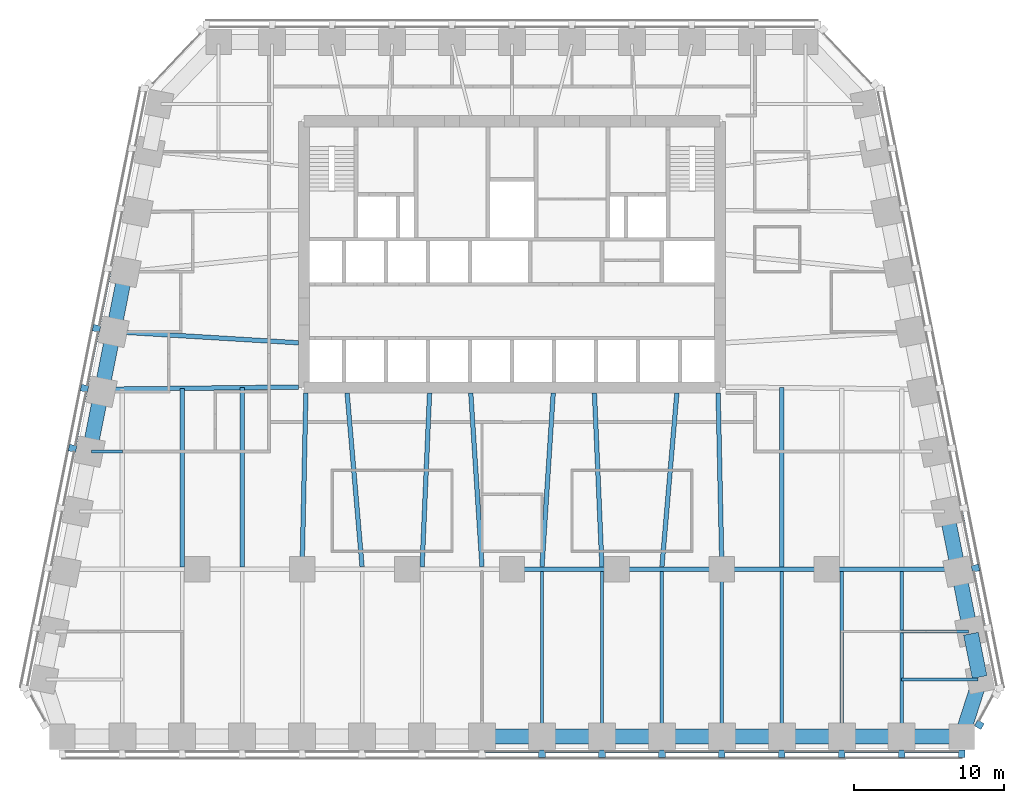
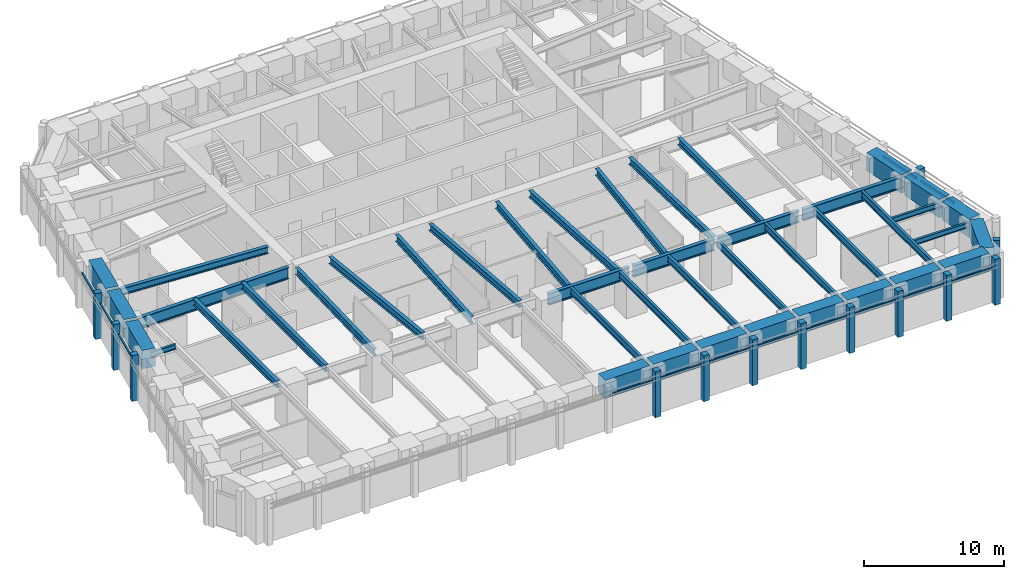
# One storey, part 2 of 10: 42 beams, 26 members, 4 elements without a shape of their own.
"""IFC4 building model written with IfcOpenShell, lengths in metres."""

from ifc_helpers import new_model, si_unit, direction, frame, origin, origin_2d, place, context, subcontext, project, spatial, rectangle, i_section, extrude, material, material_profile, profile_set, type_object, element, aggregate, save


model = new_model("IFC4")

# Units and contexts
model_context = context("Model", 3, precision=1e-05, world=origin(), true_north=direction((0.0, 1.0)))
body_context = subcontext(model_context, "Body", "Model", "MODEL_VIEW")
ifc_project = project(units=[si_unit("LENGTHUNIT", "METRE"), si_unit("AREAUNIT", "SQUARE_METRE"), si_unit("VOLUMEUNIT", "CUBIC_METRE"), si_unit("PLANEANGLEUNIT", "RADIAN"), si_unit("MASSUNIT", "GRAM", prefix="KILO")], contexts=[model_context])

# Site, building, storey
site_placement = place(None, origin())
site = spatial("IfcSite", under=ifc_project, at=site_placement, CompositionType="ELEMENT")
building_placement = place(site_placement, origin())
building = spatial("IfcBuilding", under=site, at=building_placement, Name="Isbrekke Arena Tower", CompositionType="ELEMENT")
storey_placement = place(building_placement, frame((0.0, 0.0, 115.0)))
storey = spatial("IfcBuildingStorey", under=building, at=storey_placement, Name="L25", CompositionType="ELEMENT", Elevation=115.0)

# Beams
ifc_material_1 = material(Name="Steel S355", Category="steel")
ifc_material_profile_1 = material_profile(ifc_material_1, i_section(OverallWidth=0.219970703125, OverallDepth=0.60009765625, WebThickness=0.011962890625, FlangeThickness=0.01904296875, FilletRadius=0.02392578125, at=origin_2d()), Name="IPE 600")
ifc_profile_set_1 = profile_set([ifc_material_profile_1], Name="Steel S355")
beam_type_1 = type_object("IfcBeamType", Name="B1 IPE 600", PredefinedType="BEAM", material=ifc_profile_set_1)
for number, where, z_axis, x_axis, name in (
    (1, (2.0, -17.02490234375, 3.550048828125), (0.0, 1.0, 0.0), (-1.0, 0.0, 0.0), "B1 beam S-S09 L25"),
    (2, (6.0, -17.02490234375, 3.550048828125), (0.0, 1.0, 0.0), (-1.0, 0.0, 0.0), "B1 beam S-S10 L25"),
    (3, (10.0, -17.02490234375, 3.550048828125), (0.0, 1.0, 0.0), (-1.0, 0.0, 0.0), "B1 beam S-S11 L25"),
):
    element("IfcBeam", number, at=place(storey_placement, frame(where, z_axis=z_axis, x_axis=x_axis)), inside=storey, type_object=beam_type_1, Name=name, PredefinedType="BEAM", context=body_context, shape_type="SweptSolid", body=[
        extrude(i_section(OverallWidth=0.219970703125, OverallDepth=0.60009765625, WebThickness=0.011962890625, FlangeThickness=0.01904296875, FilletRadius=0.02392578125, at=origin_2d()), origin(), (0.0, 0.0, 1.0), 10.8740234375),
    ])
beam_1_placement = place(storey_placement, frame((14.0, -17.02490234375, 3.550048828125), z_axis=(0.0, 1.0, 0.0), x_axis=(-1.0, 0.0, 0.0)))
element("IfcBeam", 4, at=beam_1_placement, inside=storey, type_object=beam_type_1, Name="B1 beam S-S12 L25", PredefinedType="BEAM", context=body_context, shape_type="SweptSolid", body=[
    extrude(i_section(OverallWidth=0.219970703125, OverallDepth=0.60009765625, WebThickness=0.011962890625, FlangeThickness=0.01904296875, FilletRadius=0.02392578125, at=origin_2d()), origin(), (0.0, 0.0, 1.0), 10.875),
])
for number, where, z_axis, x_axis, name in (
    (5, (18.0, -17.02490234375, 3.550048828125), (0.0, 1.0, 0.0), (-1.0, 0.0, 0.0), "B1 beam S-S13 L25"),
    (6, (22.0, -17.02490234375, 3.550048828125), (0.0, 1.0, 0.0), (-1.0, 0.0, 0.0), "B1 beam S-S14 L25"),
    (7, (26.0, -17.02490234375, 3.550048828125), (0.0, 1.0, 0.0), (-1.0, 0.0, 0.0), "B1 beam S-S15 L25"),
):
    element("IfcBeam", number, at=place(storey_placement, frame(where, z_axis=z_axis, x_axis=x_axis)), inside=storey, type_object=beam_type_1, Name=name, PredefinedType="BEAM", context=body_context, shape_type="SweptSolid", body=[
        extrude(i_section(OverallWidth=0.219970703125, OverallDepth=0.60009765625, WebThickness=0.011962890625, FlangeThickness=0.01904296875, FilletRadius=0.02392578125, at=origin_2d()), origin(), (0.0, 0.0, 1.0), 10.8740234375),
    ])
ifc_material_2 = material(Name="Steel S355", Category="steel")
ifc_material_profile_2 = material_profile(ifc_material_2, i_section(OverallWidth=0.18994140625, OverallDepth=0.449951171875, WebThickness=0.009521484375, FlangeThickness=0.0146484375, FilletRadius=0.02099609375, at=origin_2d()), Name="IPE 450")
ifc_profile_set_2 = profile_set([ifc_material_profile_2], Name="Steel S355")
beam_type_2 = type_object("IfcBeamType", Name="B2 IPE 450", PredefinedType="BEAM", material=ifc_profile_set_2)
beam_2_placement = place(storey_placement, frame((31.079345703125, -13.352783203125, 3.625), z_axis=(-1.0, 0.0, 0.0), x_axis=(0.0, -1.0, 0.0)))
element("IfcBeam", 8, at=beam_2_placement, inside=storey, type_object=beam_type_2, Name="B2 beam E-E01 L25", PredefinedType="BEAM", context=body_context, shape_type="SweptSolid", body=[
    extrude(i_section(OverallWidth=0.18994140625, OverallDepth=0.449951171875, WebThickness=0.009521484375, FlangeThickness=0.0146484375, FilletRadius=0.02099609375, at=origin_2d()), origin(), (0.0, 0.0, 1.0), 5.079345703125),
])
beam_3_placement = place(storey_placement, frame((30.44091796875, -10.161865234375, 3.625), z_axis=(-1.0, 0.0, 0.0), x_axis=(0.0, -1.0, 0.0)))
element("IfcBeam", 9, at=beam_3_placement, inside=storey, type_object=beam_type_2, Name="B2 beam E-E02 L25", PredefinedType="BEAM", context=body_context, shape_type="SweptSolid", body=[
    extrude(i_section(OverallWidth=0.18994140625, OverallDepth=0.449951171875, WebThickness=0.009521484375, FlangeThickness=0.0146484375, FilletRadius=0.02099609375, at=origin_2d()), origin(), (0.0, 0.0, 1.0), 4.44091796875),
])
beam_4_placement = place(storey_placement, frame((-28.041015625, 1.838134765625, 3.625), z_axis=(1.0, 0.0, 0.0), x_axis=(0.0, 1.0, 0.0)))
element("IfcBeam", 10, at=beam_4_placement, inside=storey, type_object=beam_type_2, Name="B2 beam E-W07 L25", PredefinedType="BEAM", context=body_context, shape_type="SweptSolid", body=[
    extrude(i_section(OverallWidth=0.18994140625, OverallDepth=0.449951171875, WebThickness=0.009521484375, FlangeThickness=0.0146484375, FilletRadius=0.02099609375, at=origin_2d()), origin(), (0.0, 0.0, 1.0), 2.041015625),
])
ifc_material_3 = material(Name="Steel S355", Category="steel")
ifc_material_profile_3 = material_profile(ifc_material_3, i_section(OverallWidth=0.300048828125, OverallDepth=0.60009765625, WebThickness=0.015380859375, FlangeThickness=0.030029296875, FilletRadius=0.027099609375, at=origin_2d()), Name="HEB 600")
ifc_profile_set_3 = profile_set([ifc_material_profile_3], Name="Steel S355")
beam_type_3 = type_object("IfcBeamType", Name="B7 HEB 600", PredefinedType="BEAM", material=ifc_profile_set_3)
beam_5_placement = place(storey_placement, frame((-22.0, -5.84912109375, 3.550048828125), z_axis=(0.0, 1.0, 0.0), x_axis=(-1.0, 0.0, 0.0)))
element("IfcBeam", 11, at=beam_5_placement, inside=storey, type_object=beam_type_3, Name="B7 beam C-M02 L25", PredefinedType="BEAM", context=body_context, shape_type="SweptSolid", body=[
    extrude(i_section(OverallWidth=0.300048828125, OverallDepth=0.60009765625, WebThickness=0.015380859375, FlangeThickness=0.030029296875, FilletRadius=0.027099609375, at=origin_2d()), origin(), (0.0, 0.0, 1.0), 11.91064453125),
])
beam_6_placement = place(storey_placement, frame((-18.0, -5.84912109375, 3.550048828125), z_axis=(0.0, 1.0, 0.0), x_axis=(-1.0, 0.0, 0.0)))
element("IfcBeam", 12, at=beam_6_placement, inside=storey, type_object=beam_type_3, Name="B7 beam C-M03 L25", PredefinedType="BEAM", context=body_context, shape_type="SweptSolid", body=[
    extrude(i_section(OverallWidth=0.300048828125, OverallDepth=0.60009765625, WebThickness=0.015380859375, FlangeThickness=0.030029296875, FilletRadius=0.027099609375, at=origin_2d()), origin(), (0.0, 0.0, 1.0), 11.956298828125),
])
beam_7_placement = place(storey_placement, frame((-14.0, -5.8466796875, 3.550048828125), z_axis=(0.021552887044, 0.999767709551, 0.0), x_axis=(-0.999767709551, 0.021552887044, 0.0)))
element("IfcBeam", 13, at=beam_7_placement, inside=storey, type_object=beam_type_3, Name="B7 beam C-M04 L25", PredefinedType="BEAM", context=body_context, shape_type="SweptSolid", body=[
    extrude(i_section(OverallWidth=0.300048828125, OverallDepth=0.60009765625, WebThickness=0.015380859375, FlangeThickness=0.030029296875, FilletRadius=0.027099609375, at=origin_2d()), origin(), (0.0, 0.0, 1.0), 11.599365234375),
])
beam_8_placement = place(storey_placement, frame((-10.001220703125, -5.836181640625, 3.550048828125), z_axis=(-0.085885827104, 0.996304985786, 0.0), x_axis=(-0.996304985786, -0.085885827104, 0.0)))
element("IfcBeam", 14, at=beam_8_placement, inside=storey, type_object=beam_type_3, Name="B7 beam C-M05 L25", PredefinedType="BEAM", context=body_context, shape_type="SweptSolid", body=[
    extrude(i_section(OverallWidth=0.300048828125, OverallDepth=0.60009765625, WebThickness=0.015380859375, FlangeThickness=0.030029296875, FilletRadius=0.027099609375, at=origin_2d()), origin(), (0.0, 0.0, 1.0), 11.629150390625),
])
beam_9_placement = place(storey_placement, frame((-5.999755859375, -5.842529296875, 3.550048828125), z_axis=(0.043070161667, 0.999072050041, 0.0), x_axis=(-0.999072050041, 0.043070161667, 0.0)))
element("IfcBeam", 15, at=beam_9_placement, inside=storey, type_object=beam_type_3, Name="B7 beam C-M06 L25", PredefinedType="BEAM", context=body_context, shape_type="SweptSolid", body=[
    extrude(i_section(OverallWidth=0.300048828125, OverallDepth=0.60009765625, WebThickness=0.015380859375, FlangeThickness=0.030029296875, FilletRadius=0.027099609375, at=origin_2d()), origin(), (0.0, 0.0, 1.0), 11.603271484375),
])
for number, where, z_axis, x_axis, name in (
    (16, (-2.000732421875, -5.83935546875, 3.550048828125), (-0.064516666031, 0.997916629686, 0.0), (-0.997916629686, -0.064516666031, 0.0), "B7 beam C-M07 L25"),
    (17, (2.000732421875, -5.83935546875, 3.550048828125), (0.064516666031, 0.997916629686, 0.0), (-0.997916629686, 0.064516666031, 0.0), "B7 beam C-M08 L25"),
):
    element("IfcBeam", number, at=place(storey_placement, frame(where, z_axis=z_axis, x_axis=x_axis)), inside=storey, type_object=beam_type_3, Name=name, PredefinedType="BEAM", context=body_context, shape_type="SweptSolid", body=[
        extrude(i_section(OverallWidth=0.300048828125, OverallDepth=0.60009765625, WebThickness=0.015380859375, FlangeThickness=0.030029296875, FilletRadius=0.027099609375, at=origin_2d()), origin(), (0.0, 0.0, 1.0), 11.613525390625),
    ])
beam_10_placement = place(storey_placement, frame((5.999755859375, -5.842529296875, 3.550048828125), z_axis=(-0.043070161667, 0.999072050041, 0.0), x_axis=(-0.999072050041, -0.043070161667, 0.0)))
element("IfcBeam", 18, at=beam_10_placement, inside=storey, type_object=beam_type_3, Name="B7 beam C-M09 L25", PredefinedType="BEAM", context=body_context, shape_type="SweptSolid", body=[
    extrude(i_section(OverallWidth=0.300048828125, OverallDepth=0.60009765625, WebThickness=0.015380859375, FlangeThickness=0.030029296875, FilletRadius=0.027099609375, at=origin_2d()), origin(), (0.0, 0.0, 1.0), 11.603271484375),
])
beam_11_placement = place(storey_placement, frame((10.001220703125, -5.836181640625, 3.550048828125), z_axis=(0.085885827104, 0.996304985786, 0.0), x_axis=(-0.996304985786, 0.085885827104, 0.0)))
element("IfcBeam", 19, at=beam_11_placement, inside=storey, type_object=beam_type_3, Name="B7 beam C-M10 L25", PredefinedType="BEAM", context=body_context, shape_type="SweptSolid", body=[
    extrude(i_section(OverallWidth=0.300048828125, OverallDepth=0.60009765625, WebThickness=0.015380859375, FlangeThickness=0.030029296875, FilletRadius=0.027099609375, at=origin_2d()), origin(), (0.0, 0.0, 1.0), 11.629150390625),
])
beam_12_placement = place(storey_placement, frame((14.0, -5.8466796875, 3.550048828125), z_axis=(-0.021552887044, 0.999767709551, 0.0), x_axis=(-0.999767709551, -0.021552887044, 0.0)))
element("IfcBeam", 20, at=beam_12_placement, inside=storey, type_object=beam_type_3, Name="B7 beam C-M11 L25", PredefinedType="BEAM", context=body_context, shape_type="SweptSolid", body=[
    extrude(i_section(OverallWidth=0.300048828125, OverallDepth=0.60009765625, WebThickness=0.015380859375, FlangeThickness=0.030029296875, FilletRadius=0.027099609375, at=origin_2d()), origin(), (0.0, 0.0, 1.0), 11.599365234375),
])
beam_13_placement = place(storey_placement, frame((18.0, -5.84912109375, 3.550048828125), z_axis=(0.0, 1.0, 0.0), x_axis=(-1.0, 0.0, 0.0)))
element("IfcBeam", 21, at=beam_13_placement, inside=storey, type_object=beam_type_3, Name="B7 beam C-M12 L25", PredefinedType="BEAM", context=body_context, shape_type="SweptSolid", body=[
    extrude(i_section(OverallWidth=0.300048828125, OverallDepth=0.60009765625, WebThickness=0.015380859375, FlangeThickness=0.030029296875, FilletRadius=0.027099609375, at=origin_2d()), origin(), (0.0, 0.0, 1.0), 11.956298828125),
])
beam_14_placement = place(storey_placement, frame((-26.431884765625, 9.837646484375, 3.550048828125), z_axis=(0.998172191876, -0.060434057993, 0.0), x_axis=(0.060434057993, 0.998172191876, 0.0)))
element("IfcBeam", 22, at=beam_14_placement, inside=storey, type_object=beam_type_3, Name="B7 beam E-W05 L25", PredefinedType="BEAM", context=body_context, shape_type="SweptSolid", body=[
    extrude(i_section(OverallWidth=0.300048828125, OverallDepth=0.60009765625, WebThickness=0.015380859375, FlangeThickness=0.030029296875, FilletRadius=0.027099609375, at=origin_2d()), origin(), (0.0, 0.0, 1.0), 12.2041015625),
])

# Curtain wall, members
ifc_material_4 = material(Name="Glazed aluminium curtain wall", Category="aluminium")
curtain_wall_type = type_object("IfcCurtainWallType", Name="CWM TOWER CURTAIN WALL MID ZONE", PredefinedType="USERDEFINED", material=ifc_material_4)
curtain_wall_1_placement = place(storey_placement, origin())
curtain_wall_1 = element("IfcCurtainWall", 23, at=curtain_wall_1_placement, inside=storey, type_object=curtain_wall_type, Name="CWM curtain wall L25-S", ObjectType="TOWER CURTAIN WALL MID ZONE", PredefinedType="USERDEFINED")
ifc_material_5 = material(Name="Aluminium mullion, pale brick slip cladding", Category="masonry")
ifc_material_profile_4 = material_profile(ifc_material_5, rectangle(XDim=0.449951171875, YDim=0.5, at=origin_2d()), Name="PIER 450X500")
ifc_profile_set_4 = profile_set([ifc_material_profile_4], Name="Aluminium mullion, pale brick slip cladding")
member_type_1 = type_object("IfcMemberType", Name="CWM-M PIER MULLION 450 x 500", PredefinedType="MULLION", material=ifc_profile_set_4)
member_1_placement = place(storey_placement, frame((2.0, -18.324951171875, 0.0), z_axis=(0.0, 0.0, 1.0), x_axis=(1.0, 0.0, 0.0)))
member_1 = element("IfcMember", 24, at=member_1_placement, type_object=member_type_1, Name="CWM-M mullion 9", PredefinedType="MULLION", context=body_context, shape_type="SweptSolid", body=[
    extrude(rectangle(XDim=0.449951171875, YDim=0.5, at=origin_2d()), origin(), (0.0, 0.0, 1.0), 4.0),
])
member_2_placement = place(storey_placement, frame((6.0, -18.324951171875, 0.0), z_axis=(0.0, 0.0, 1.0), x_axis=(1.0, 0.0, 0.0)))
member_2 = element("IfcMember", 25, at=member_2_placement, type_object=member_type_1, Name="CWM-M mullion 10", PredefinedType="MULLION", context=body_context, shape_type="SweptSolid", body=[
    extrude(rectangle(XDim=0.449951171875, YDim=0.5, at=origin_2d()), origin(), (0.0, 0.0, 1.0), 4.0),
])
member_3_placement = place(storey_placement, frame((10.0, -18.324951171875, 0.0), z_axis=(0.0, 0.0, 1.0), x_axis=(1.0, 0.0, 0.0)))
member_3 = element("IfcMember", 26, at=member_3_placement, type_object=member_type_1, Name="CWM-M mullion 11", PredefinedType="MULLION", context=body_context, shape_type="SweptSolid", body=[
    extrude(rectangle(XDim=0.449951171875, YDim=0.5, at=origin_2d()), origin(), (0.0, 0.0, 1.0), 4.0),
])
member_4_placement = place(storey_placement, frame((14.0, -18.324951171875, 0.0), z_axis=(0.0, 0.0, 1.0), x_axis=(1.0, 0.0, 0.0)))
member_4 = element("IfcMember", 27, at=member_4_placement, type_object=member_type_1, Name="CWM-M mullion 12", PredefinedType="MULLION", context=body_context, shape_type="SweptSolid", body=[
    extrude(rectangle(XDim=0.449951171875, YDim=0.5, at=origin_2d()), origin(), (0.0, 0.0, 1.0), 4.0),
])
member_5_placement = place(storey_placement, frame((18.0, -18.324951171875, 0.0), z_axis=(0.0, 0.0, 1.0), x_axis=(1.0, 0.0, 0.0)))
member_5 = element("IfcMember", 28, at=member_5_placement, type_object=member_type_1, Name="CWM-M mullion 13", PredefinedType="MULLION", context=body_context, shape_type="SweptSolid", body=[
    extrude(rectangle(XDim=0.449951171875, YDim=0.5, at=origin_2d()), origin(), (0.0, 0.0, 1.0), 4.0),
])
member_6_placement = place(storey_placement, frame((22.0, -18.324951171875, 0.0), z_axis=(0.0, 0.0, 1.0), x_axis=(1.0, 0.0, 0.0)))
member_6 = element("IfcMember", 29, at=member_6_placement, type_object=member_type_1, Name="CWM-M mullion 14", PredefinedType="MULLION", context=body_context, shape_type="SweptSolid", body=[
    extrude(rectangle(XDim=0.449951171875, YDim=0.5, at=origin_2d()), origin(), (0.0, 0.0, 1.0), 4.0),
])
member_7_placement = place(storey_placement, frame((26.0, -18.324951171875, 0.0), z_axis=(0.0, 0.0, 1.0), x_axis=(1.0, 0.0, 0.0)))
member_7 = element("IfcMember", 30, at=member_7_placement, type_object=member_type_1, Name="CWM-M mullion 15", PredefinedType="MULLION", context=body_context, shape_type="SweptSolid", body=[
    extrude(rectangle(XDim=0.449951171875, YDim=0.5, at=origin_2d()), origin(), (0.0, 0.0, 1.0), 4.0),
])
member_8_placement = place(storey_placement, frame((30.0, -18.324951171875, 0.0), z_axis=(0.0, 0.0, 1.0), x_axis=(1.0, 0.0, 0.0)))
member_8 = element("IfcMember", 31, at=member_8_placement, type_object=member_type_1, Name="CWM-M mullion 16", PredefinedType="MULLION", context=body_context, shape_type="SweptSolid", body=[
    extrude(rectangle(XDim=0.449951171875, YDim=0.5, at=origin_2d()), origin(), (0.0, 0.0, 1.0), 4.0),
])

# Curtain wall, member
curtain_wall_2_placement = place(storey_placement, origin())
curtain_wall_2 = element("IfcCurtainWall", 32, at=curtain_wall_2_placement, inside=storey, type_object=curtain_wall_type, Name="CWM curtain wall L25-SE", ObjectType="TOWER CURTAIN WALL MID ZONE", PredefinedType="USERDEFINED")
member_9_placement = place(storey_placement, frame((31.17529296875, -16.382080078125, 0.0), z_axis=(0.0, 0.0, 1.0), x_axis=(0.481918749773, 0.876215908676, 0.0)))
member_9 = element("IfcMember", 33, at=member_9_placement, type_object=member_type_1, Name="CWM-M mullion 1", PredefinedType="MULLION", context=body_context, shape_type="SweptSolid", body=[
    extrude(rectangle(XDim=0.449951171875, YDim=0.5, at=origin_2d()), origin(), (0.0, 0.0, 1.0), 4.0),
])
aggregate(curtain_wall_2, [member_9])

curtain_wall_3_placement = place(storey_placement, origin())
curtain_wall_3 = element("IfcCurtainWall", 34, at=curtain_wall_3_placement, inside=storey, type_object=curtain_wall_type, Name="CWM curtain wall L25-E", ObjectType="TOWER CURTAIN WALL MID ZONE", PredefinedType="USERDEFINED")
member_10_placement = place(storey_placement, frame((30.918701171875, -5.936279296875, 0.0), z_axis=(0.0, 0.0, 1.0), x_axis=(-0.196116135138, 0.980580675691, 0.0)))
member_10 = element("IfcMember", 35, at=member_10_placement, type_object=member_type_1, Name="CWM-M mullion 3", PredefinedType="MULLION", context=body_context, shape_type="SweptSolid", body=[
    extrude(rectangle(XDim=0.449951171875, YDim=0.5, at=origin_2d()), origin(), (0.0, 0.0, 1.0), 4.0),
])

# Curtain wall, members
curtain_wall_4_placement = place(storey_placement, origin())
curtain_wall_4 = element("IfcCurtainWall", 36, at=curtain_wall_4_placement, inside=storey, type_object=curtain_wall_type, Name="CWM curtain wall L25-W", ObjectType="TOWER CURTAIN WALL MID ZONE", PredefinedType="USERDEFINED")
member_11_placement = place(storey_placement, frame((-27.71875, 10.063720703125, 0.0), z_axis=(0.0, 0.0, 1.0), x_axis=(-0.196116135138, -0.980580675691, 0.0)))
member_11 = element("IfcMember", 37, at=member_11_placement, type_object=member_type_1, Name="CWM-M mullion 5", PredefinedType="MULLION", context=body_context, shape_type="SweptSolid", body=[
    extrude(rectangle(XDim=0.449951171875, YDim=0.5, at=origin_2d()), origin(), (0.0, 0.0, 1.0), 4.0),
])
member_12_placement = place(storey_placement, frame((-28.518798828125, 6.063720703125, 0.0), z_axis=(0.0, 0.0, 1.0), x_axis=(-0.196116135138, -0.980580675691, 0.0)))
member_12 = element("IfcMember", 38, at=member_12_placement, type_object=member_type_1, Name="CWM-M mullion 6", PredefinedType="MULLION", context=body_context, shape_type="SweptSolid", body=[
    extrude(rectangle(XDim=0.449951171875, YDim=0.5, at=origin_2d()), origin(), (0.0, 0.0, 1.0), 4.0),
])
member_13_placement = place(storey_placement, frame((-29.318603515625, 2.063720703125, 0.0), z_axis=(0.0, 0.0, 1.0), x_axis=(-0.196116135138, -0.980580675691, 0.0)))
member_13 = element("IfcMember", 39, at=member_13_placement, type_object=member_type_1, Name="CWM-M mullion 7", PredefinedType="MULLION", context=body_context, shape_type="SweptSolid", body=[
    extrude(rectangle(XDim=0.449951171875, YDim=0.5, at=origin_2d()), origin(), (0.0, 0.0, 1.0), 4.0),
])

# Member
ifc_material_6 = material(Name="Aluminium transom", Category="aluminium")
ifc_material_profile_5 = material_profile(ifc_material_6, rectangle(XDim=0.1201171875, YDim=0.199951171875, at=origin_2d()), Name="TRANSOM 120X200")
ifc_profile_set_5 = profile_set([ifc_material_profile_5], Name="Aluminium transom")
member_type_2 = type_object("IfcMemberType", Name="CWM-T TRANSOM 120 x 200", PredefinedType="USERDEFINED", material=ifc_profile_set_5)
member_14_placement = place(storey_placement, frame((-1.77490234375, -18.175048828125, 3.0), z_axis=(1.0, 0.0, 0.0), x_axis=(0.0, 1.0, 0.0)))
member_14 = element("IfcMember", 40, at=member_14_placement, type_object=member_type_2, Name="CWM-T transom 8", ObjectType="TRANSOM", PredefinedType="USERDEFINED", context=body_context, shape_type="SweptSolid", body=[
    extrude(rectangle(XDim=0.1201171875, YDim=0.199951171875, at=origin_2d()), origin(), (0.0, 0.0, 1.0), 3.5498046875),
])

member_15_placement = place(storey_placement, frame((2.22509765625, -18.175048828125, 3.0), z_axis=(1.0, 0.0, 0.0), x_axis=(0.0, 1.0, 0.0)))
member_15 = element("IfcMember", 41, at=member_15_placement, type_object=member_type_2, Name="CWM-T transom 9", ObjectType="TRANSOM", PredefinedType="USERDEFINED", context=body_context, shape_type="SweptSolid", body=[
    extrude(rectangle(XDim=0.1201171875, YDim=0.199951171875, at=origin_2d()), origin(), (0.0, 0.0, 1.0), 3.5498046875),
])

member_16_placement = place(storey_placement, frame((6.22509765625, -18.175048828125, 3.0), z_axis=(1.0, 0.0, 0.0), x_axis=(0.0, 1.0, 0.0)))
member_16 = element("IfcMember", 42, at=member_16_placement, type_object=member_type_2, Name="CWM-T transom 10", ObjectType="TRANSOM", PredefinedType="USERDEFINED", context=body_context, shape_type="SweptSolid", body=[
    extrude(rectangle(XDim=0.1201171875, YDim=0.199951171875, at=origin_2d()), origin(), (0.0, 0.0, 1.0), 3.5498046875),
])

member_17_placement = place(storey_placement, frame((10.22509765625, -18.175048828125, 3.0), z_axis=(1.0, 0.0, 0.0), x_axis=(0.0, 1.0, 0.0)))
member_17 = element("IfcMember", 43, at=member_17_placement, type_object=member_type_2, Name="CWM-T transom 11", ObjectType="TRANSOM", PredefinedType="USERDEFINED", context=body_context, shape_type="SweptSolid", body=[
    extrude(rectangle(XDim=0.1201171875, YDim=0.199951171875, at=origin_2d()), origin(), (0.0, 0.0, 1.0), 3.5498046875),
])

member_18_placement = place(storey_placement, frame((14.22509765625, -18.175048828125, 3.0), z_axis=(1.0, 0.0, 0.0), x_axis=(0.0, 1.0, 0.0)))
member_18 = element("IfcMember", 44, at=member_18_placement, type_object=member_type_2, Name="CWM-T transom 12", ObjectType="TRANSOM", PredefinedType="USERDEFINED", context=body_context, shape_type="SweptSolid", body=[
    extrude(rectangle(XDim=0.1201171875, YDim=0.199951171875, at=origin_2d()), origin(), (0.0, 0.0, 1.0), 3.5498046875),
])

member_19_placement = place(storey_placement, frame((18.22509765625, -18.175048828125, 3.0), z_axis=(1.0, 0.0, 0.0), x_axis=(0.0, 1.0, 0.0)))
member_19 = element("IfcMember", 45, at=member_19_placement, type_object=member_type_2, Name="CWM-T transom 13", ObjectType="TRANSOM", PredefinedType="USERDEFINED", context=body_context, shape_type="SweptSolid", body=[
    extrude(rectangle(XDim=0.1201171875, YDim=0.199951171875, at=origin_2d()), origin(), (0.0, 0.0, 1.0), 3.5498046875),
])

member_20_placement = place(storey_placement, frame((22.22509765625, -18.175048828125, 3.0), z_axis=(1.0, 0.0, 0.0), x_axis=(0.0, 1.0, 0.0)))
member_20 = element("IfcMember", 46, at=member_20_placement, type_object=member_type_2, Name="CWM-T transom 14", ObjectType="TRANSOM", PredefinedType="USERDEFINED", context=body_context, shape_type="SweptSolid", body=[
    extrude(rectangle(XDim=0.1201171875, YDim=0.199951171875, at=origin_2d()), origin(), (0.0, 0.0, 1.0), 3.5498046875),
])

member_21_placement = place(storey_placement, frame((26.22509765625, -18.175048828125, 3.0), z_axis=(1.0, 0.0, 0.0), x_axis=(0.0, 1.0, 0.0)))
member_21 = element("IfcMember", 47, at=member_21_placement, type_object=member_type_2, Name="CWM-T transom 15", ObjectType="TRANSOM", PredefinedType="USERDEFINED", context=body_context, shape_type="SweptSolid", body=[
    extrude(rectangle(XDim=0.1201171875, YDim=0.199951171875, at=origin_2d()), origin(), (0.0, 0.0, 1.0), 3.5498046875),
])

aggregate(curtain_wall_1, [member_1, member_2, member_3, member_4, member_5, member_6, member_7, member_8, member_14, member_15, member_16, member_17, member_18, member_19, member_20, member_21])

member_22_placement = place(storey_placement, frame((31.527587890625, -9.7451171875, 3.0), z_axis=(-0.196154943734, 0.980572913173, 0.0), x_axis=(-0.980572913173, -0.196154943734, 0.0)))
member_22 = element("IfcMember", 48, at=member_22_placement, type_object=member_type_2, Name="CWM-T transom 2", ObjectType="TRANSOM", PredefinedType="USERDEFINED", context=body_context, shape_type="SweptSolid", body=[
    extrude(rectangle(XDim=0.1201171875, YDim=0.199951171875, at=origin_2d()), origin(), (0.0, 0.0, 1.0), 3.62939453125),
])

member_23_placement = place(storey_placement, frame((30.7275390625, -5.7451171875, 3.0), z_axis=(-0.196154943734, 0.980572913173, 0.0), x_axis=(-0.980572913173, -0.196154943734, 0.0)))
member_23 = element("IfcMember", 49, at=member_23_placement, type_object=member_type_2, Name="CWM-T transom 3", ObjectType="TRANSOM", PredefinedType="USERDEFINED", context=body_context, shape_type="SweptSolid", body=[
    extrude(rectangle(XDim=0.1201171875, YDim=0.199951171875, at=origin_2d()), origin(), (0.0, 0.0, 1.0), 3.62939453125),
])

aggregate(curtain_wall_3, [member_10, member_22, member_23])

member_24_placement = place(storey_placement, frame((-26.815673828125, 13.813720703125, 3.0), z_axis=(-0.196154943734, -0.980572913173, 0.0), x_axis=(0.980572913173, -0.196154943734, 0.0)))
member_24 = element("IfcMember", 50, at=member_24_placement, type_object=member_type_2, Name="CWM-T transom 4", ObjectType="TRANSOM", PredefinedType="USERDEFINED", context=body_context, shape_type="SweptSolid", body=[
    extrude(rectangle(XDim=0.1201171875, YDim=0.199951171875, at=origin_2d()), origin(), (0.0, 0.0, 1.0), 3.62939453125),
])

member_25_placement = place(storey_placement, frame((-27.61572265625, 9.813720703125, 3.0), z_axis=(-0.196090262229, -0.980585849918, 0.0), x_axis=(0.980585849918, -0.196090262229, 0.0)))
member_25 = element("IfcMember", 51, at=member_25_placement, type_object=member_type_2, Name="CWM-T transom 5", ObjectType="TRANSOM", PredefinedType="USERDEFINED", context=body_context, shape_type="SweptSolid", body=[
    extrude(rectangle(XDim=0.1201171875, YDim=0.199951171875, at=origin_2d()), origin(), (0.0, 0.0, 1.0), 3.62939453125),
])

member_26_placement = place(storey_placement, frame((-28.415771484375, 5.813720703125, 3.0), z_axis=(-0.196090262229, -0.980585849918, 0.0), x_axis=(0.980585849918, -0.196090262229, 0.0)))
member_26 = element("IfcMember", 52, at=member_26_placement, type_object=member_type_2, Name="CWM-T transom 6", ObjectType="TRANSOM", PredefinedType="USERDEFINED", context=body_context, shape_type="SweptSolid", body=[
    extrude(rectangle(XDim=0.1201171875, YDim=0.199951171875, at=origin_2d()), origin(), (0.0, 0.0, 1.0), 3.62939453125),
])

aggregate(curtain_wall_4, [member_11, member_12, member_13, member_24, member_25, member_26])

# Beams
ifc_material_7 = material(Name="Steel S355", Category="steel")
ifc_material_profile_6 = material_profile(ifc_material_7, i_section(OverallWidth=0.302001953125, OverallDepth=1.008056640625, WebThickness=0.02099609375, FlangeThickness=0.0400390625, FilletRadius=0.030029296875, at=origin_2d()), Name="HEM 1000")
ifc_profile_set_6 = profile_set([ifc_material_profile_6], Name="Steel S355")
beam_type_4 = type_object("IfcBeamType", Name="G1 HEM 1000", PredefinedType="BEAM", material=ifc_profile_set_6)
for number, where, z_axis, x_axis, name in (
    (53, (0.14990234375, -6.0, 3.345947265625), (1.0, 0.0, 0.0), (0.0, 1.0, 0.0), "G1 beam G1-05 L25"),
    (54, (7.14990234375, -6.0, 3.345947265625), (1.0, 0.0, 0.0), (0.0, 1.0, 0.0), "G1 beam G1-06 L25"),
    (55, (14.14990234375, -6.0, 3.345947265625), (1.0, 0.0, 0.0), (0.0, 1.0, 0.0), "G1 beam G1-07 L25"),
):
    element("IfcBeam", number, at=place(storey_placement, frame(where, z_axis=z_axis, x_axis=x_axis)), inside=storey, type_object=beam_type_4, Name=name, PredefinedType="BEAM", context=body_context, shape_type="SweptSolid", body=[
        extrude(i_section(OverallWidth=0.302001953125, OverallDepth=1.008056640625, WebThickness=0.02099609375, FlangeThickness=0.0400390625, FilletRadius=0.030029296875, at=origin_2d()), origin(), (0.0, 0.0, 1.0), 6.7001953125),
    ])
beam_15_placement = place(storey_placement, frame((21.14990234375, -6.0, 3.345947265625), z_axis=(1.0, 0.0, 0.0), x_axis=(0.0, 1.0, 0.0)))
element("IfcBeam", 56, at=beam_15_placement, inside=storey, type_object=beam_type_4, Name="G1 beam G1-08 L25", PredefinedType="BEAM", context=body_context, shape_type="SweptSolid", body=[
    extrude(i_section(OverallWidth=0.302001953125, OverallDepth=1.008056640625, WebThickness=0.02099609375, FlangeThickness=0.0400390625, FilletRadius=0.030029296875, at=origin_2d()), origin(), (0.0, 0.0, 1.0), 8.64111328125),
])
ifc_material_8 = material(Name="Steel S355", Category="steel")
ifc_material_profile_7 = material_profile(ifc_material_8, i_section(OverallWidth=0.302001953125, OverallDepth=1.008056640625, WebThickness=0.02099609375, FlangeThickness=0.0400390625, FilletRadius=0.030029296875, at=origin_2d()), Name="HEM 1000")
ifc_profile_set_7 = profile_set([ifc_material_profile_7], Name="Steel S355")
beam_type_5 = type_object("IfcBeamType", Name="G2 HEM 1000", PredefinedType="BEAM", material=ifc_profile_set_7)
beam_16_placement = place(storey_placement, frame((-14.25, 6.14990234375, 3.345947265625), z_axis=(-0.999934928157, -0.011407867963, 0.0), x_axis=(0.011407867963, -0.999934928157, 0.0)))
element("IfcBeam", 57, at=beam_16_placement, inside=storey, type_object=beam_type_5, Name="G2 beam G2-W L25", PredefinedType="BEAM", context=body_context, shape_type="SweptSolid", body=[
    extrude(i_section(OverallWidth=0.302001953125, OverallDepth=1.008056640625, WebThickness=0.02099609375, FlangeThickness=0.0400390625, FilletRadius=0.030029296875, at=origin_2d()), origin(), (0.0, 0.0, 1.0), 13.140380859375),
])
ifc_material_9 = material(Name="Concrete B80 (C80/95)", Category="concrete")
ifc_material_profile_8 = material_profile(ifc_material_9, rectangle(XDim=1.0, YDim=1.60009765625, at=origin_2d()), Name="RC 1000x1600")
ifc_profile_set_8 = profile_set([ifc_material_profile_8], Name="Concrete B80 (C80/95)")
beam_type_6 = type_object("IfcBeamType", Name="SB2 RC 1000 x 1600", PredefinedType="SPANDREL", material=ifc_profile_set_8)
for number, where, z_axis, x_axis, name in (
    (58, (-1.85009765625, -17.175048828125, 3.199951171875), (1.0, 0.0, 0.0), (0.0, 1.0, 0.0), "SB2 spandrel S08-S09 L25"),
    (59, (2.14990234375, -17.175048828125, 3.199951171875), (1.0, 0.0, 0.0), (0.0, 1.0, 0.0), "SB2 spandrel S09-S10 L25"),
    (60, (6.14990234375, -17.175048828125, 3.199951171875), (1.0, 0.0, 0.0), (0.0, 1.0, 0.0), "SB2 spandrel S10-S11 L25"),
    (61, (10.14990234375, -17.175048828125, 3.199951171875), (1.0, 0.0, 0.0), (0.0, 1.0, 0.0), "SB2 spandrel S11-S12 L25"),
    (62, (14.14990234375, -17.175048828125, 3.199951171875), (1.0, 0.0, 0.0), (0.0, 1.0, 0.0), "SB2 spandrel S12-S13 L25"),
    (63, (18.14990234375, -17.175048828125, 3.199951171875), (1.0, 0.0, 0.0), (0.0, 1.0, 0.0), "SB2 spandrel S13-S14 L25"),
    (64, (22.14990234375, -17.175048828125, 3.199951171875), (1.0, 0.0, 0.0), (0.0, 1.0, 0.0), "SB2 spandrel S14-S15 L25"),
    (65, (26.14990234375, -17.175048828125, 3.199951171875), (1.0, 0.0, 0.0), (0.0, 1.0, 0.0), "SB2 spandrel S15-S16 L25"),
):
    element("IfcBeam", number, at=place(storey_placement, frame(where, z_axis=z_axis, x_axis=x_axis)), inside=storey, type_object=beam_type_6, Name=name, PredefinedType="SPANDREL", context=body_context, shape_type="SweptSolid", body=[
        extrude(rectangle(XDim=1.0, YDim=1.60009765625, at=origin_2d()), origin(), (0.0, 0.0, 1.0), 3.7001953125),
    ])
beam_17_placement = place(storey_placement, frame((30.0458984375, -17.0322265625, 3.199951171875), z_axis=(0.306175101476, 0.951975213562, 0.0), x_axis=(-0.951975213562, 0.306175101476, 0.0)))
element("IfcBeam", 66, at=beam_17_placement, inside=storey, type_object=beam_type_6, Name="SB2 spandrel S16-E01 L25", PredefinedType="SPANDREL", context=body_context, shape_type="SweptSolid", body=[
    extrude(rectangle(XDim=1.0, YDim=1.60009765625, at=origin_2d()), origin(), (0.0, 0.0, 1.0), 3.715087890625),
])
beam_18_placement = place(storey_placement, frame((31.19970703125, -13.205810546875, 3.199951171875), z_axis=(-0.196100243168, 0.980583853951, 0.0), x_axis=(-0.980583853951, -0.196100243168, 0.0)))
element("IfcBeam", 67, at=beam_18_placement, inside=storey, type_object=beam_type_6, Name="SB2 spandrel E01-E02 L25", PredefinedType="SPANDREL", context=body_context, shape_type="SweptSolid", body=[
    extrude(rectangle(XDim=1.0, YDim=1.60009765625, at=origin_2d()), origin(), (0.0, 0.0, 1.0), 2.954345703125),
])
beam_19_placement = place(storey_placement, frame((30.5615234375, -10.0146484375, 3.199951171875), z_axis=(-0.1960664412, 0.980590613169, 0.0), x_axis=(-0.980590613169, -0.1960664412, 0.0)))
element("IfcBeam", 68, at=beam_19_placement, inside=storey, type_object=beam_type_6, Name="SB2 spandrel E02-E03 L25", PredefinedType="SPANDREL", context=body_context, shape_type="SweptSolid", body=[
    extrude(rectangle(XDim=1.0, YDim=1.60009765625, at=origin_2d()), origin(), (0.0, 0.0, 1.0), 3.779052734375),
])
beam_20_placement = place(storey_placement, frame((29.76171875, -6.0146484375, 3.199951171875), z_axis=(-0.196128558387, 0.980578190959, 0.0), x_axis=(-0.980578190959, -0.196128558387, 0.0)))
element("IfcBeam", 69, at=beam_20_placement, inside=storey, type_object=beam_type_6, Name="SB2 spandrel E03-E04 L25", PredefinedType="SPANDREL", context=body_context, shape_type="SweptSolid", body=[
    extrude(rectangle(XDim=1.0, YDim=1.60009765625, at=origin_2d()), origin(), (0.0, 0.0, 1.0), 3.779296875),
])
beam_21_placement = place(storey_placement, frame((-25.820556640625, 13.691162109375, 3.199951171875), z_axis=(-0.1960664412, -0.980590613169, 0.0), x_axis=(0.980590613169, -0.1960664412, 0.0)))
element("IfcBeam", 70, at=beam_21_placement, inside=storey, type_object=beam_type_6, Name="SB2 spandrel W04-W05 L25", PredefinedType="SPANDREL", context=body_context, shape_type="SweptSolid", body=[
    extrude(rectangle(XDim=1.0, YDim=1.60009765625, at=origin_2d()), origin(), (0.0, 0.0, 1.0), 3.779052734375),
])
for number, where, z_axis, x_axis, name in (
    (71, (-26.620361328125, 9.691162109375, 3.199951171875), (-0.196128558387, -0.980578190959, 0.0), (0.980578190959, -0.196128558387, 0.0), "SB2 spandrel W05-W06 L25"),
    (72, (-27.42041015625, 5.691162109375, 3.199951171875), (-0.196128558387, -0.980578190959, 0.0), (0.980578190959, -0.196128558387, 0.0), "SB2 spandrel W06-W07 L25"),
):
    element("IfcBeam", number, at=place(storey_placement, frame(where, z_axis=z_axis, x_axis=x_axis)), inside=storey, type_object=beam_type_6, Name=name, PredefinedType="SPANDREL", context=body_context, shape_type="SweptSolid", body=[
        extrude(rectangle(XDim=1.0, YDim=1.60009765625, at=origin_2d()), origin(), (0.0, 0.0, 1.0), 3.779296875),
    ])

save(model, "model.ifc")
